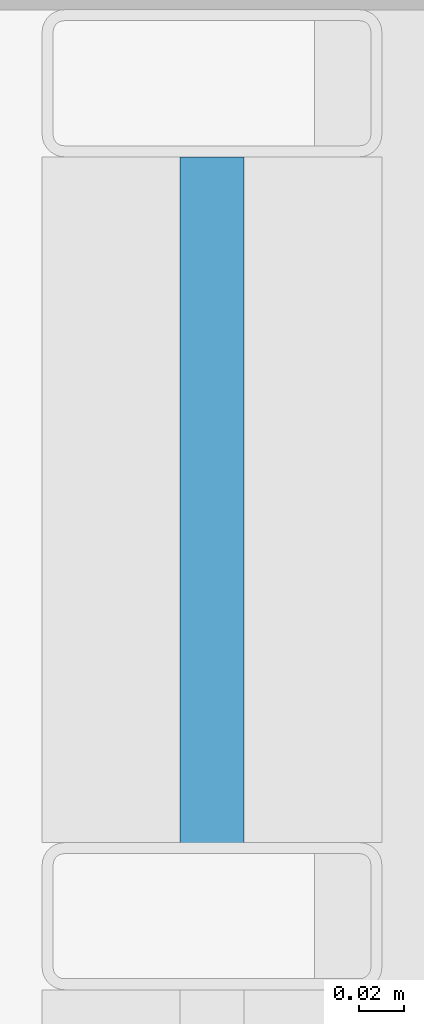
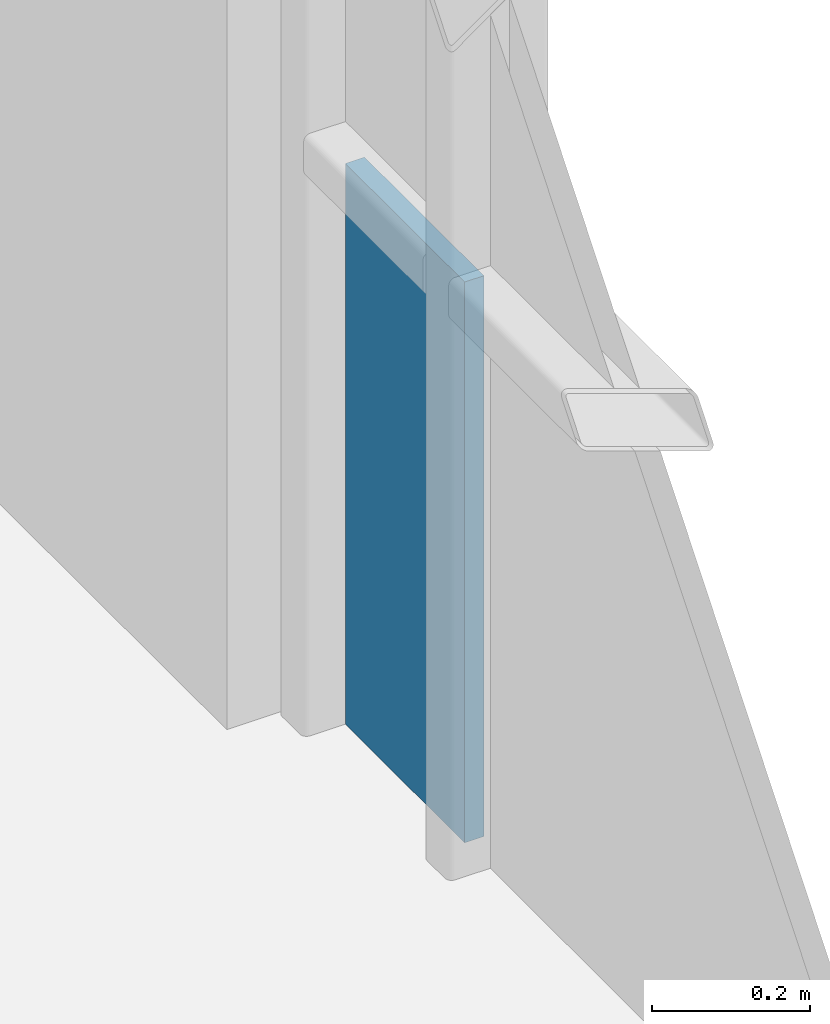
# One storey, part 32 of 41: 1 plate, 1 element without a shape of its own.
"""IFC4 building model written with IfcOpenShell, lengths in metres."""

import ifcopenshell
import ifcopenshell.guid

model = None  # the IFC model being written
_history = None  # IfcOwnerHistory: only IFC2X3 demands one
_inside = {}  # id of a spatial element -> (the spatial element, [elements in it])
_under = {}  # id of a project, library or spatial element -> (it, [spatial elements below it])
_declared = {}  # id of a project -> (the project, [libraries it declares])
_typed = {}  # id of a type object -> (the type object, [elements of that type])
_made_of = {}  # id of a material, layer set ... -> (it, [elements and type objects made of it])


def new_model(schema):
    """Start an empty IFC model of exactly this schema.

    Asked for "IFC4X3", IfcOpenShell would pick the latest addendum, in which some entities
    have other attributes; the version numbers below select the first issue.
    IFC2X3 requires an IfcOwnerHistory on every rooted entity: one is made here for all.
    """
    global model, _history
    if schema == "IFC4X3":
        model = ifcopenshell.file(schema_version=(4, 3, 0, 0))
    else:
        model = ifcopenshell.file(schema=schema)
    _inside.clear()
    _under.clear()
    _declared.clear()
    _typed.clear()
    _made_of.clear()
    _history = None
    if model.schema == "IFC2X3":
        org = make("IfcOrganization", Name="unknown")
        user = make(
            "IfcPersonAndOrganization",
            ThePerson=make("IfcPerson", FamilyName="unknown"),
            TheOrganization=org,
        )
        app = make(
            "IfcApplication",
            ApplicationDeveloper=org,
            Version="unknown",
            ApplicationFullName="unknown",
            ApplicationIdentifier="unknown",
        )
        _history = make(
            "IfcOwnerHistory",
            OwningUser=user,
            OwningApplication=app,
            ChangeAction="ADDED",
            CreationDate=0,
        )
    return model


def make(cls, **values):
    """One entity of the class cls with the attributes given. An attribute that is None is left unset."""
    return model.create_entity(
        cls, **{name: value for name, value in values.items() if value is not None}
    )


def rooted(cls, **values):
    """An entity with a GlobalId (a new one), such as an element, a storey or a relation."""
    return make(cls, GlobalId=ifcopenshell.guid.new(), OwnerHistory=_history, **values)


def si_unit(unit_type, name, prefix=None):
    """IfcSIUnit, for example si_unit("LENGTHUNIT", "METRE", prefix="MILLI")."""
    return make("IfcSIUnit", UnitType=unit_type, Prefix=prefix, Name=name)


def assignment(units):
    """IfcUnitAssignment: the units of a project."""
    return None if units is None else make("IfcUnitAssignment", Units=units)


def point(xyz):
    """IfcCartesianPoint."""
    return None if xyz is None else make("IfcCartesianPoint", Coordinates=xyz)


def direction(xyz):
    """IfcDirection."""
    return None if xyz is None else make("IfcDirection", DirectionRatios=xyz)


def frame(location, z_axis=None, x_axis=None):
    """IfcAxis2Placement3D, a coordinate frame: its origin and axes. An axis left out is left unset."""
    return make(
        "IfcAxis2Placement3D",
        Location=point(location),
        Axis=direction(z_axis),
        RefDirection=direction(x_axis),
    )


def frame_2d(location, x_axis=None):
    """IfcAxis2Placement2D, a coordinate frame in the plane: its origin and x axis."""
    return make(
        "IfcAxis2Placement2D", Location=point(location), RefDirection=direction(x_axis)
    )


def origin():
    """The frame at (0, 0, 0) with its axes left unset."""
    return frame((0.0, 0.0, 0.0))


def origin_2d():
    """The frame at (0, 0) in the plane with its x axis left unset."""
    return frame_2d((0.0, 0.0))


def place(relative_to, where):
    """IfcLocalPlacement: puts the frame where relative to a parent placement (None: the world)."""
    return make(
        "IfcLocalPlacement", PlacementRelTo=relative_to, RelativePlacement=where
    )


def context(
    kind, dimensions, precision=None, world=None, true_north=None, identifier=None
):
    """IfcGeometricRepresentationContext, for example the 3D "Model" context."""
    return make(
        "IfcGeometricRepresentationContext",
        ContextIdentifier=identifier,
        ContextType=kind,
        CoordinateSpaceDimension=dimensions,
        Precision=precision,
        WorldCoordinateSystem=world,
        TrueNorth=true_north,
    )


def subcontext(parent, identifier, kind, view, scale=None):
    """IfcGeometricRepresentationSubContext, for example "Body" below "Model"."""
    return make(
        "IfcGeometricRepresentationSubContext",
        ContextIdentifier=identifier,
        ContextType=kind,
        ParentContext=parent,
        TargetScale=scale,
        TargetView=view,
    )


def project(units=None, contexts=None):
    """IfcProject with its units and contexts."""
    return rooted(
        "IfcProject",
        Name="project",
        RepresentationContexts=contexts,
        UnitsInContext=assignment(units),
    )


def spatial(cls, under=None, at=None, **own):
    """A site, building, storey or space (cls), placed at a placement, below another one or the project."""
    s = rooted(cls, ObjectPlacement=at, **own)
    if under is not None:
        _under.setdefault(under.id(), (under, []))[1].append(s)
    return s


def profile(cls, at=None, kind="AREA", **sizes):
    """A parametric profile (cls). Its sizes go by their IFC names, for example OverallWidth=200.0."""
    return make(cls, ProfileType=kind, Position=at, **sizes)


def rectangle(**sizes):
    """IfcRectangleProfileDef."""
    return profile("IfcRectangleProfileDef", **sizes)


def extrude(swept, where, along, depth):
    """IfcExtrudedAreaSolid: the profile swept, set in the frame where, extruded along a direction by depth."""
    return make(
        "IfcExtrudedAreaSolid",
        SweptArea=swept,
        Position=where,
        ExtrudedDirection=direction(along),
        Depth=depth,
    )


def shape(context_of_items, identifier, shape_type, items):
    """IfcShapeRepresentation: the items that make up one representation, for example the "Body"."""
    return make(
        "IfcShapeRepresentation",
        ContextOfItems=context_of_items,
        RepresentationIdentifier=identifier,
        RepresentationType=shape_type,
        Items=items,
    )


def material(Name=None, Category=None):
    """IfcMaterial."""
    return make("IfcMaterial", Name=Name, Category=Category)


def layer(
    of_material, thickness, ventilated=None, Name=None, Category=None, Priority=None
):
    """IfcMaterialLayer: one layer of a wall or slab, of a material (None: an air gap)."""
    return make(
        "IfcMaterialLayer",
        Material=of_material,
        LayerThickness=thickness,
        IsVentilated=ventilated,
        Name=Name,
        Category=Category,
        Priority=Priority,
    )


def layer_set(layers, Name=None):
    """IfcMaterialLayerSet."""
    return make("IfcMaterialLayerSet", MaterialLayers=layers, LayerSetName=Name)


def made_of(thing, what):
    """Note that an element or type object is made of a material, layer set ...; save() writes the relation."""
    if what is not None:
        _made_of.setdefault(what.id(), (what, []))[1].append(thing)
    return thing


def type_object(cls, material=None, **own):
    """A type object (cls), such as IfcWallType, which elements share."""
    return made_of(rooted(cls, **own), material)


def element(
    cls,
    number,
    at=None,
    inside=None,
    cuts=None,
    type_object=None,
    material=None,
    context=None,
    identifier="Body",
    shape_type=None,
    held_by="IfcProductDefinitionShape",
    body=None,
    shapes=None,
    **own,
):
    """One element of the class cls, such as IfcWall. Its Tag is "e" and its number.

    at: its placement. inside: the storey or other place that contains it. cuts: it is an
    opening in that element (IfcRelVoidsElement). A single representation is given by context,
    identifier, shape_type and body (its items); several are given by shapes. held_by: the class
    of the entity that holds the representations. save() writes the other relations.
    """
    e = rooted(cls, Tag="e%d" % number, ObjectPlacement=at, **own)
    if body is not None:
        shapes = [shape(context, identifier, shape_type, body)]
    if shapes is not None:
        e.Representation = make(held_by, Representations=shapes)
    if inside is not None:
        _inside.setdefault(inside.id(), (inside, []))[1].append(e)
    if cuts is not None:
        rooted(
            "IfcRelVoidsElement", RelatingBuildingElement=cuts, RelatedOpeningElement=e
        )
    if type_object is not None:
        _typed.setdefault(type_object.id(), (type_object, []))[1].append(e)
    return made_of(e, material)


def aggregate(whole, parts):
    """IfcRelAggregates: a whole, such as a stair, and the parts it consists of."""
    return rooted("IfcRelAggregates", RelatingObject=whole, RelatedObjects=parts)


def save(model, path):
    """Write the relations noted so far, then the file.

    IfcRelAggregates (storeys below a building ...), IfcRelContainedInSpatialStructure (elements
    in a storey), IfcRelDefinesByType, IfcRelAssociatesMaterial and IfcRelDeclares: one each for
    every whole, place, type object, material and project.
    """
    for whole, parts in _under.values():
        aggregate(whole, parts)
    for where, things in _inside.values():
        rooted(
            "IfcRelContainedInSpatialStructure",
            RelatedElements=things,
            RelatingStructure=where,
        )
    for kind, things in _typed.values():
        rooted("IfcRelDefinesByType", RelatedObjects=things, RelatingType=kind)
    for what, things in _made_of.values():
        rooted("IfcRelAssociatesMaterial", RelatedObjects=things, RelatingMaterial=what)
    for by, libraries in _declared.values():
        rooted("IfcRelDeclares", RelatingContext=by, RelatedDefinitions=libraries)
    model.write(path)


model = new_model("IFC4")

# Units and contexts
model_context = context("Model", 3, precision=1e-05, world=origin(), true_north=direction((0.0, 1.0)))
body_context = subcontext(model_context, "Body", "Model", "MODEL_VIEW")
ifc_project = project(units=[si_unit("LENGTHUNIT", "METRE"), si_unit("AREAUNIT", "SQUARE_METRE"), si_unit("VOLUMEUNIT", "CUBIC_METRE"), si_unit("PLANEANGLEUNIT", "RADIAN"), si_unit("MASSUNIT", "GRAM", prefix="KILO")], contexts=[model_context])

# Site, building, storey
site_placement = place(None, origin())
site = spatial("IfcSite", under=ifc_project, at=site_placement, CompositionType="ELEMENT")
building_placement = place(site_placement, origin())
building = spatial("IfcBuilding", under=site, at=building_placement, Name="Brevholm Reach", CompositionType="ELEMENT")
storey_placement = place(building_placement, frame((0.0, 0.0, 151.10009765625)))
storey = spatial("IfcBuildingStorey", under=building, at=storey_placement, Name="L45", CompositionType="ELEMENT", Elevation=151.10009765625)

# Curtain wall, plate
ifc_material_1 = material(Name="Dark Anodised Aluminium 6063-T6 and Solar-Control Glass", Category="aluminium")
ifc_layer_1 = layer(ifc_material_1, 0.14990234375)
ifc_layer_set_1 = layer_set([ifc_layer_1], Name="Dark Anodised Aluminium 6063-T6 and Solar-Control Glass")
curtain_wall_type = type_object("IfcCurtainWallType", Name="CW-01", PredefinedType="NOTDEFINED", material=ifc_layer_set_1)
curtain_wall_placement = place(storey_placement, origin())
curtain_wall = element("IfcCurtainWall", 1, at=curtain_wall_placement, inside=storey, type_object=curtain_wall_type, Name="L45 Curtain Wall CW-01", PredefinedType="NOTDEFINED")
ifc_material_2 = material(Name="Dark Solar-Control Double-Glazed IGU Glass", Category="glass")
ifc_layer_2 = layer(ifc_material_2, 0.028076171875)
ifc_layer_set_2 = layer_set([ifc_layer_2], Name="Dark Solar-Control Double-Glazed IGU Glass")
plate_type = type_object("IfcPlateType", Name="CWP-GLZ-28", PredefinedType="CURTAIN_PANEL", material=ifc_layer_set_2)
plate_placement = place(storey_placement, frame((59.85009765625, 22.733642578125, 0.0), z_axis=(0.0, 0.0, 1.0), x_axis=(0.0, 1.0, 0.0)))
plate = element("IfcPlate", 2, at=plate_placement, type_object=plate_type, Name="CP-01 Glazing Panel 5.1", PredefinedType="CURTAIN_PANEL", context=body_context, shape_type="SweptSolid", body=[
    extrude(rectangle(XDim=0.302490234375, YDim=0.028076171875, at=origin_2d()), origin(), (0.0, 0.0, 1.0), 0.867431640625),
])
aggregate(curtain_wall, [plate])

save(model, "model.ifc")
